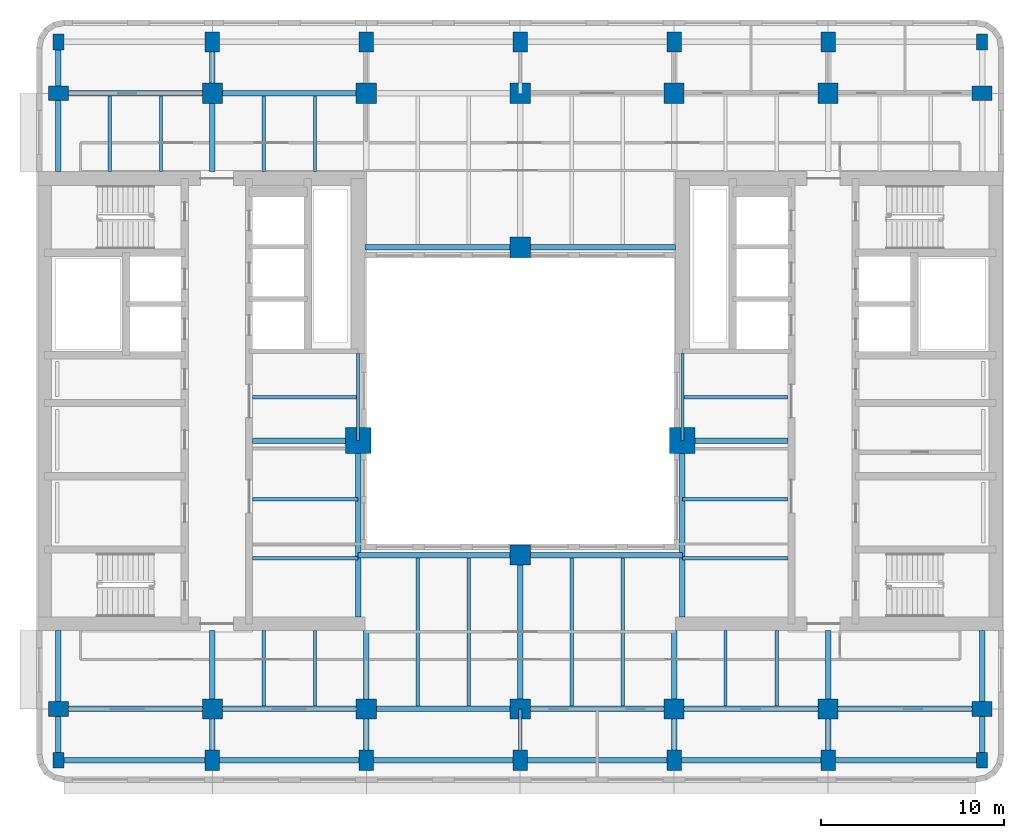
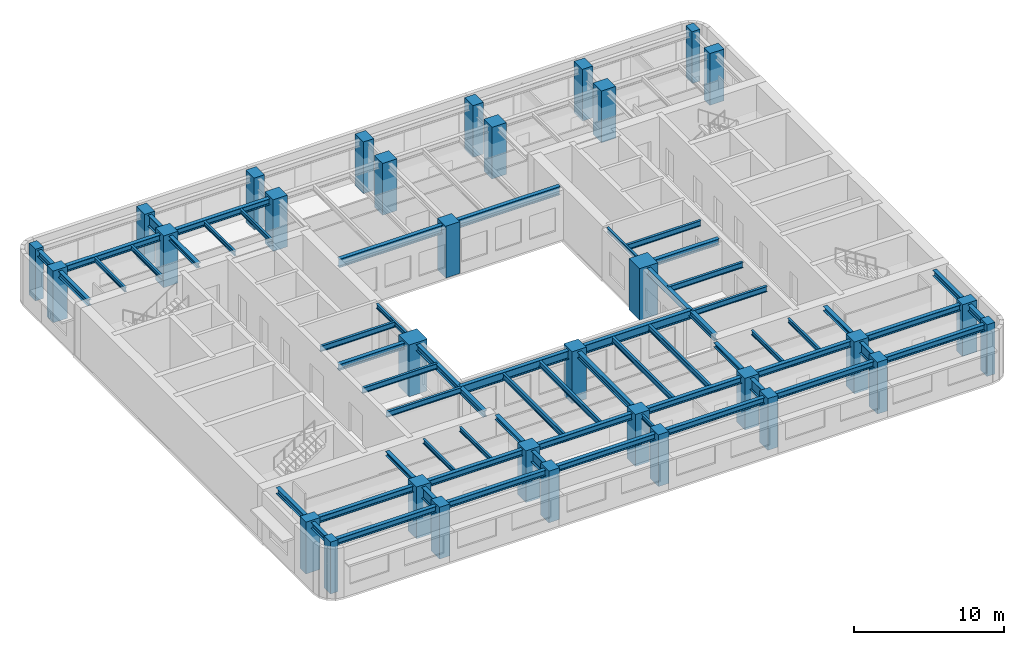
# One storey, part 1 of 11: 60 beams, 32 columns.
"""IFC4 building model written with IfcOpenShell, lengths in metres."""

from ifc_helpers import new_model, si_unit, direction, frame, origin, origin_2d, place, context, subcontext, project, spatial, rectangle, i_section, extrude, material, material_profile, profile_set, type_object, element, save


model = new_model("IFC4")

# Units and contexts
model_context = context("Model", 3, precision=1e-05, world=origin(), true_north=direction((0.0, 1.0)))
body_context = subcontext(model_context, "Body", "Model", "MODEL_VIEW")
ifc_project = project(units=[si_unit("LENGTHUNIT", "METRE"), si_unit("AREAUNIT", "SQUARE_METRE"), si_unit("VOLUMEUNIT", "CUBIC_METRE"), si_unit("PLANEANGLEUNIT", "RADIAN"), si_unit("MASSUNIT", "GRAM", prefix="KILO")], contexts=[model_context])

# Site, building, storey
site_placement = place(None, origin())
site = spatial("IfcSite", under=ifc_project, at=site_placement, CompositionType="ELEMENT")
building_placement = place(site_placement, origin())
building = spatial("IfcBuilding", under=site, at=building_placement, Name="Claustro Exchange Tower", CompositionType="ELEMENT")
storey_placement = place(building_placement, frame((0.0, 0.0, 236.39990234375)))
storey = spatial("IfcBuildingStorey", under=building, at=storey_placement, Name="L54", CompositionType="ELEMENT", Elevation=236.39990234375)

# Columns
ifc_material_1 = material(Name="Concrete HA-70 (C70/85)", Category="concrete")
ifc_material_profile_1 = material_profile(ifc_material_1, rectangle(XDim=1.39990234375, YDim=1.39990234375, at=origin_2d()), Name="RC 1400x1400")
ifc_profile_set_1 = profile_set([ifc_material_profile_1], Name="Concrete HA-70 (C70/85)")
column_type_1 = type_object("IfcColumnType", Name="C0 RC 1400x1400 HA-70 column", PredefinedType="COLUMN", material=ifc_profile_set_1)
for number, where, z_axis, x_axis, name in (
    (1, (16.35009765625, 23.050048828125, 0.0), (0.0, 0.0, 1.0), (1.0, 0.0, 0.0), "Column C0 2+7950/C+6250 L54"),
    (2, (34.050048828125, 23.050048828125, 0.0), (0.0, 0.0, 1.0), (1.0, 0.0, 0.0), "Column C0 5+450/C+6250 L54"),
):
    element("IfcColumn", number, at=place(storey_placement, frame(where, z_axis=z_axis, x_axis=x_axis)), inside=storey, type_object=column_type_1, Name=name, PredefinedType="COLUMN", context=body_context, shape_type="SweptSolid", body=[
        extrude(rectangle(XDim=1.39990234375, YDim=1.39990234375, at=origin_2d()), origin(), (0.0, 0.0, 1.0), 4.2001953125),
    ])
ifc_material_2 = material(Name="Concrete HA-70 (C70/85)", Category="concrete")
ifc_material_profile_2 = material_profile(ifc_material_2, rectangle(XDim=1.10009765625, YDim=1.10009765625, at=origin_2d()), Name="RC 1100x1100")
ifc_profile_set_2 = profile_set([ifc_material_profile_2], Name="Concrete HA-70 (C70/85)")
column_type_2 = type_object("IfcColumnType", Name="C17 RC 1100x1100 HA-70 column", PredefinedType="COLUMN", material=ifc_profile_set_2)
for number, where, z_axis, x_axis, name in (
    (3, (8.39990234375, 8.39990234375, 0.0), (0.0, 0.0, 1.0), (1.0, 0.0, 0.0), "Column C17 2/B L54"),
    (4, (8.39990234375, 42.0, 0.0), (0.0, 0.0, 1.0), (1.0, 0.0, 0.0), "Column C17 2/F L54"),
    (5, (16.800048828125, 8.39990234375, 0.0), (0.0, 0.0, 1.0), (1.0, 0.0, 0.0), "Column C17 3/B L54"),
    (6, (16.800048828125, 42.0, 0.0), (0.0, 0.0, 1.0), (1.0, 0.0, 0.0), "Column C17 3/F L54"),
    (7, (25.199951171875, 8.39990234375, 0.0), (0.0, 0.0, 1.0), (1.0, 0.0, 0.0), "Column C17 4/B L54"),
    (8, (25.199951171875, 42.0, 0.0), (0.0, 0.0, 1.0), (1.0, 0.0, 0.0), "Column C17 4/F L54"),
    (9, (25.199951171875, 16.800048828125, 0.0), (0.0, 0.0, 1.0), (1.0, 0.0, 0.0), "Column C17 4/C L54"),
    (10, (25.199951171875, 33.60009765625, 0.0), (0.0, 0.0, 1.0), (1.0, 0.0, 0.0), "Column C17 4/E L54"),
    (11, (33.60009765625, 8.39990234375, 0.0), (0.0, 0.0, 1.0), (1.0, 0.0, 0.0), "Column C17 5/B L54"),
    (12, (33.60009765625, 42.0, 0.0), (0.0, 0.0, 1.0), (1.0, 0.0, 0.0), "Column C17 5/F L54"),
    (13, (42.0, 8.39990234375, 0.0), (0.0, 0.0, 1.0), (1.0, 0.0, 0.0), "Column C17 6/B L54"),
    (14, (42.0, 42.0, 0.0), (0.0, 0.0, 1.0), (1.0, 0.0, 0.0), "Column C17 6/F L54"),
):
    element("IfcColumn", number, at=place(storey_placement, frame(where, z_axis=z_axis, x_axis=x_axis)), inside=storey, type_object=column_type_2, Name=name, PredefinedType="COLUMN", context=body_context, shape_type="SweptSolid", body=[
        extrude(rectangle(XDim=1.10009765625, YDim=1.10009765625, at=origin_2d()), origin(), (0.0, 0.0, 1.0), 4.2001953125),
    ])
ifc_material_3 = material(Name="Concrete HA-50 (C50/60)", Category="concrete")
ifc_material_profile_3 = material_profile(ifc_material_3, rectangle(XDim=0.800048828125, YDim=1.10009765625, at=origin_2d()), Name="RC 800x1100")
ifc_profile_set_3 = profile_set([ifc_material_profile_3], Name="Concrete HA-50 (C50/60)")
column_type_3 = type_object("IfcColumnType", Name="C23 RC 800x1100 HA-50 perimeter column", PredefinedType="COLUMN", material=ifc_profile_set_3)
for number, where, z_axis, x_axis, name in (
    (15, (0.0, 8.39990234375, 0.0), (0.0, 0.0, 1.0), (0.0, 1.0, 0.0), "Column C23 1/B L54"),
    (16, (0.0, 42.0, 0.0), (0.0, 0.0, 1.0), (0.0, 1.0, 0.0), "Column C23 1/F L54"),
    (17, (8.39990234375, 5.60009765625, 0.0), (0.0, 0.0, 1.0), (1.0, 0.0, 0.0), "Column C23 2/A+5600 L54"),
    (18, (8.39990234375, 44.800048828125, 0.0), (0.0, 0.0, 1.0), (1.0, 0.0, 0.0), "Column C23 2/F+2800 L54"),
    (19, (16.800048828125, 5.60009765625, 0.0), (0.0, 0.0, 1.0), (1.0, 0.0, 0.0), "Column C23 3/A+5600 L54"),
    (20, (16.800048828125, 44.800048828125, 0.0), (0.0, 0.0, 1.0), (1.0, 0.0, 0.0), "Column C23 3/F+2800 L54"),
    (21, (25.199951171875, 5.60009765625, 0.0), (0.0, 0.0, 1.0), (1.0, 0.0, 0.0), "Column C23 4/A+5600 L54"),
    (22, (25.199951171875, 44.800048828125, 0.0), (0.0, 0.0, 1.0), (1.0, 0.0, 0.0), "Column C23 4/F+2800 L54"),
    (23, (33.60009765625, 5.60009765625, 0.0), (0.0, 0.0, 1.0), (1.0, 0.0, 0.0), "Column C23 5/A+5600 L54"),
    (24, (33.60009765625, 44.800048828125, 0.0), (0.0, 0.0, 1.0), (1.0, 0.0, 0.0), "Column C23 5/F+2800 L54"),
    (25, (42.0, 5.60009765625, 0.0), (0.0, 0.0, 1.0), (1.0, 0.0, 0.0), "Column C23 6/A+5600 L54"),
    (26, (42.0, 44.800048828125, 0.0), (0.0, 0.0, 1.0), (1.0, 0.0, 0.0), "Column C23 6/F+2800 L54"),
    (27, (50.39990234375, 8.39990234375, 0.0), (0.0, 0.0, 1.0), (0.0, 1.0, 0.0), "Column C23 7/B L54"),
    (28, (50.39990234375, 42.0, 0.0), (0.0, 0.0, 1.0), (0.0, 1.0, 0.0), "Column C23 7/F L54"),
):
    element("IfcColumn", number, at=place(storey_placement, frame(where, z_axis=z_axis, x_axis=x_axis)), inside=storey, type_object=column_type_3, Name=name, PredefinedType="COLUMN", context=body_context, shape_type="SweptSolid", body=[
        extrude(rectangle(XDim=0.800048828125, YDim=1.10009765625, at=origin_2d()), origin(), (0.0, 0.0, 1.0), 4.2001953125),
    ])
ifc_material_4 = material(Name="Concrete HA-50 (C50/60)", Category="concrete")
ifc_material_profile_4 = material_profile(ifc_material_4, rectangle(XDim=0.60009765625, YDim=0.85009765625, at=origin_2d()), Name="RC 600x850")
ifc_profile_set_4 = profile_set([ifc_material_profile_4], Name="Concrete HA-50 (C50/60)")
column_type_4 = type_object("IfcColumnType", Name="C25 RC 600x850 HA-50 corner column", PredefinedType="COLUMN", material=ifc_profile_set_4)
for number, where, z_axis, x_axis, name in (
    (29, (0.0, 5.60009765625, 0.0), (0.0, 0.0, 1.0), (1.0, 0.0, 0.0), "Column C25 1/A+5600 L54"),
    (30, (0.0, 44.800048828125, 0.0), (0.0, 0.0, 1.0), (1.0, 0.0, 0.0), "Column C25 1/F+2800 L54"),
    (31, (50.39990234375, 5.60009765625, 0.0), (0.0, 0.0, 1.0), (1.0, 0.0, 0.0), "Column C25 7/A+5600 L54"),
    (32, (50.39990234375, 44.800048828125, 0.0), (0.0, 0.0, 1.0), (1.0, 0.0, 0.0), "Column C25 7/F+2800 L54"),
):
    element("IfcColumn", number, at=place(storey_placement, frame(where, z_axis=z_axis, x_axis=x_axis)), inside=storey, type_object=column_type_4, Name=name, PredefinedType="COLUMN", context=body_context, shape_type="SweptSolid", body=[
        extrude(rectangle(XDim=0.60009765625, YDim=0.85009765625, at=origin_2d()), origin(), (0.0, 0.0, 1.0), 4.2001953125),
    ])

# Beams
ifc_material_5 = material(Name="Steel S355", Category="steel")
ifc_material_profile_5 = material_profile(ifc_material_5, i_section(OverallWidth=0.300048828125, OverallDepth=0.68994140625, WebThickness=0.014404296875, FlangeThickness=0.027099609375, FilletRadius=0.027099609375, at=origin_2d()), Name="HE 700 A")
ifc_profile_set_5 = profile_set([ifc_material_profile_5], Name="Steel S355")
beam_type_1 = type_object("IfcBeamType", Name="B13 HE 700 A light well edge girder", PredefinedType="BEAM", material=ifc_profile_set_5)
beam_1_placement = place(storey_placement, frame((16.35009765625, 16.800048828125, 3.705078125), z_axis=(1.0, 0.0, 0.0), x_axis=(0.0, 1.0, 0.0)))
element("IfcBeam", 33, at=beam_1_placement, inside=storey, type_object=beam_type_1, Name="Beam B13 L55", PredefinedType="BEAM", context=body_context, shape_type="SweptSolid", body=[
    extrude(i_section(OverallWidth=0.300048828125, OverallDepth=0.68994140625, WebThickness=0.014404296875, FlangeThickness=0.027099609375, FilletRadius=0.027099609375, at=origin_2d()), origin(), (0.0, 0.0, 1.0), 8.849853515625),
])
beam_2_placement = place(storey_placement, frame((25.199951171875, 16.800048828125, 3.705078125), z_axis=(1.0, 0.0, 0.0), x_axis=(0.0, 1.0, 0.0)))
element("IfcBeam", 34, at=beam_2_placement, inside=storey, type_object=beam_type_1, Name="Beam B13 L55", PredefinedType="BEAM", context=body_context, shape_type="SweptSolid", body=[
    extrude(i_section(OverallWidth=0.300048828125, OverallDepth=0.68994140625, WebThickness=0.014404296875, FlangeThickness=0.027099609375, FilletRadius=0.027099609375, at=origin_2d()), origin(), (0.0, 0.0, 1.0), 8.85009765625),
])
beam_3_placement = place(storey_placement, frame((16.72509765625, 33.60009765625, 3.705078125), z_axis=(1.0, 0.0, 0.0), x_axis=(0.0, 1.0, 0.0)))
element("IfcBeam", 35, at=beam_3_placement, inside=storey, type_object=beam_type_1, Name="Beam B13 L55", PredefinedType="BEAM", context=body_context, shape_type="SweptSolid", body=[
    extrude(i_section(OverallWidth=0.300048828125, OverallDepth=0.68994140625, WebThickness=0.014404296875, FlangeThickness=0.027099609375, FilletRadius=0.027099609375, at=origin_2d()), origin(), (0.0, 0.0, 1.0), 8.474853515625),
])
beam_4_placement = place(storey_placement, frame((25.199951171875, 33.60009765625, 3.705078125), z_axis=(1.0, 0.0, 0.0), x_axis=(0.0, 1.0, 0.0)))
element("IfcBeam", 36, at=beam_4_placement, inside=storey, type_object=beam_type_1, Name="Beam B13 L55", PredefinedType="BEAM", context=body_context, shape_type="SweptSolid", body=[
    extrude(i_section(OverallWidth=0.300048828125, OverallDepth=0.68994140625, WebThickness=0.014404296875, FlangeThickness=0.027099609375, FilletRadius=0.027099609375, at=origin_2d()), origin(), (0.0, 0.0, 1.0), 8.47509765625),
])
ifc_material_6 = material(Name="Steel S355", Category="steel")
ifc_material_profile_6 = material_profile(ifc_material_6, i_section(OverallWidth=0.169921875, OverallDepth=0.360107421875, WebThickness=0.008056640625, FlangeThickness=0.0126953125, FilletRadius=0.01806640625, at=origin_2d()), Name="IPE 360")
ifc_profile_set_6 = profile_set([ifc_material_profile_6], Name="Steel S355")
beam_type_2 = type_object("IfcBeamType", Name="B16 IPE 360 short-span beam", PredefinedType="BEAM", material=ifc_profile_set_6)
beam_5_placement = place(storey_placement, frame((25.199951171875, 5.60009765625, 3.8701171875), z_axis=(0.0, 1.0, 0.0), x_axis=(-1.0, 0.0, 0.0)))
element("IfcBeam", 37, at=beam_5_placement, inside=storey, type_object=beam_type_2, Name="Beam B16 L55", PredefinedType="BEAM", context=body_context, shape_type="SweptSolid", body=[
    extrude(i_section(OverallWidth=0.169921875, OverallDepth=0.360107421875, WebThickness=0.008056640625, FlangeThickness=0.0126953125, FilletRadius=0.01806640625, at=origin_2d()), origin(), (0.0, 0.0, 1.0), 2.7998046875),
])
for number, where, z_axis, x_axis, name in (
    (38, (2.800048828125, 37.72509765625, 3.8701171875), (0.0, 1.0, 0.0), (-1.0, 0.0, 0.0), "Beam B16 L55"),
    (39, (5.60009765625, 37.72509765625, 3.8701171875), (0.0, 1.0, 0.0), (-1.0, 0.0, 0.0), "Beam B16 L55"),
    (40, (11.199951171875, 8.550048828125, 3.8701171875), (0.0, 1.0, 0.0), (-1.0, 0.0, 0.0), "Beam B16 L55"),
    (41, (14.0, 8.550048828125, 3.8701171875), (0.0, 1.0, 0.0), (-1.0, 0.0, 0.0), "Beam B16 L55"),
    (42, (11.199951171875, 37.72509765625, 3.8701171875), (0.0, 1.0, 0.0), (-1.0, 0.0, 0.0), "Beam B16 L55"),
    (43, (14.0, 37.72509765625, 3.8701171875), (0.0, 1.0, 0.0), (-1.0, 0.0, 0.0), "Beam B16 L55"),
    (44, (36.39990234375, 8.550048828125, 3.8701171875), (0.0, 1.0, 0.0), (-1.0, 0.0, 0.0), "Beam B16 L55"),
    (45, (39.199951171875, 8.550048828125, 3.8701171875), (0.0, 1.0, 0.0), (-1.0, 0.0, 0.0), "Beam B16 L55"),
):
    element("IfcBeam", number, at=place(storey_placement, frame(where, z_axis=z_axis, x_axis=x_axis)), inside=storey, type_object=beam_type_2, Name=name, PredefinedType="BEAM", context=body_context, shape_type="SweptSolid", body=[
        extrude(i_section(OverallWidth=0.169921875, OverallDepth=0.360107421875, WebThickness=0.008056640625, FlangeThickness=0.0126953125, FilletRadius=0.01806640625, at=origin_2d()), origin(), (0.0, 0.0, 1.0), 4.125),
    ])
for number, where, z_axis, x_axis, name in (
    (46, (16.35009765625, 23.050048828125, 3.8701171875), (0.0, 1.0, 0.0), (-1.0, 0.0, 0.0), "Beam B16 core step framing L55"),
    (47, (34.050048828125, 23.050048828125, 3.8701171875), (0.0, 1.0, 0.0), (-1.0, 0.0, 0.0), "Beam B16 core step framing L55"),
):
    element("IfcBeam", number, at=place(storey_placement, frame(where, z_axis=z_axis, x_axis=x_axis)), inside=storey, type_object=beam_type_2, Name=name, PredefinedType="BEAM", context=body_context, shape_type="SweptSolid", body=[
        extrude(i_section(OverallWidth=0.169921875, OverallDepth=0.360107421875, WebThickness=0.008056640625, FlangeThickness=0.0126953125, FilletRadius=0.01806640625, at=origin_2d()), origin(), (0.0, 0.0, 1.0), 4.75),
    ])
ifc_material_7 = material(Name="Steel S355", Category="steel")
ifc_material_profile_7 = material_profile(ifc_material_7, i_section(OverallWidth=0.300048828125, OverallDepth=0.360107421875, WebThickness=0.012451171875, FlangeThickness=0.0224609375, FilletRadius=0.027099609375, at=origin_2d()), Name="HE 360 B")
ifc_profile_set_7 = profile_set([ifc_material_profile_7], Name="Steel S355")
beam_type_3 = type_object("IfcBeamType", Name="B29 HE 360 B column to core link beam", PredefinedType="BEAM", material=ifc_profile_set_7)
beam_6_placement = place(storey_placement, frame((8.39990234375, 8.39990234375, 3.8701171875), z_axis=(0.0, 1.0, 0.0), x_axis=(-1.0, 0.0, 0.0)))
element("IfcBeam", 48, at=beam_6_placement, inside=storey, type_object=beam_type_3, Name="Beam B29 L55", PredefinedType="BEAM", context=body_context, shape_type="SweptSolid", body=[
    extrude(i_section(OverallWidth=0.300048828125, OverallDepth=0.360107421875, WebThickness=0.012451171875, FlangeThickness=0.0224609375, FilletRadius=0.027099609375, at=origin_2d()), origin(), (0.0, 0.0, 1.0), 4.275146484375),
])
beam_7_placement = place(storey_placement, frame((8.39990234375, 37.72509765625, 3.8701171875), z_axis=(0.0, 1.0, 0.0), x_axis=(-1.0, 0.0, 0.0)))
element("IfcBeam", 49, at=beam_7_placement, inside=storey, type_object=beam_type_3, Name="Beam B29 L55", PredefinedType="BEAM", context=body_context, shape_type="SweptSolid", body=[
    extrude(i_section(OverallWidth=0.300048828125, OverallDepth=0.360107421875, WebThickness=0.012451171875, FlangeThickness=0.0224609375, FilletRadius=0.027099609375, at=origin_2d()), origin(), (0.0, 0.0, 1.0), 4.27490234375),
])
for number, where, z_axis, x_axis, name in (
    (50, (16.800048828125, 8.39990234375, 3.8701171875), (0.0, 1.0, 0.0), (-1.0, 0.0, 0.0), "Beam B29 L55"),
    (51, (33.60009765625, 8.39990234375, 3.8701171875), (0.0, 1.0, 0.0), (-1.0, 0.0, 0.0), "Beam B29 L55"),
    (52, (42.0, 8.39990234375, 3.8701171875), (0.0, 1.0, 0.0), (-1.0, 0.0, 0.0), "Beam B29 L55"),
):
    element("IfcBeam", number, at=place(storey_placement, frame(where, z_axis=z_axis, x_axis=x_axis)), inside=storey, type_object=beam_type_3, Name=name, PredefinedType="BEAM", context=body_context, shape_type="SweptSolid", body=[
        extrude(i_section(OverallWidth=0.300048828125, OverallDepth=0.360107421875, WebThickness=0.012451171875, FlangeThickness=0.0224609375, FilletRadius=0.027099609375, at=origin_2d()), origin(), (0.0, 0.0, 1.0), 4.275146484375),
    ])
ifc_material_8 = material(Name="Steel S355", Category="steel")
ifc_material_profile_8 = material_profile(ifc_material_8, i_section(OverallWidth=0.300048828125, OverallDepth=0.5, WebThickness=0.014404296875, FlangeThickness=0.028076171875, FilletRadius=0.027099609375, at=origin_2d()), Name="HE 500 B")
ifc_profile_set_8 = profile_set([ifc_material_profile_8], Name="Steel S355")
beam_type_4 = type_object("IfcBeamType", Name="B7 HE 500 B floor girder", PredefinedType="BEAM", material=ifc_profile_set_8)
beam_8_placement = place(storey_placement, frame((25.199951171875, 8.39990234375, 3.800048828125), z_axis=(0.0, 1.0, 0.0), x_axis=(-1.0, 0.0, 0.0)))
element("IfcBeam", 53, at=beam_8_placement, inside=storey, type_object=beam_type_4, Name="Beam B7 L55", PredefinedType="BEAM", context=body_context, shape_type="SweptSolid", body=[
    extrude(i_section(OverallWidth=0.300048828125, OverallDepth=0.5, WebThickness=0.014404296875, FlangeThickness=0.028076171875, FilletRadius=0.027099609375, at=origin_2d()), origin(), (0.0, 0.0, 1.0), 8.400146484375),
])
beam_9_placement = place(storey_placement, frame((0.0, 8.39990234375, 3.800048828125), z_axis=(1.0, 0.0, 0.0), x_axis=(0.0, 1.0, 0.0)))
element("IfcBeam", 54, at=beam_9_placement, inside=storey, type_object=beam_type_4, Name="Beam B7 L55", PredefinedType="BEAM", context=body_context, shape_type="SweptSolid", body=[
    extrude(i_section(OverallWidth=0.300048828125, OverallDepth=0.5, WebThickness=0.014404296875, FlangeThickness=0.028076171875, FilletRadius=0.027099609375, at=origin_2d()), origin(), (0.0, 0.0, 1.0), 8.39990234375),
])
beam_10_placement = place(storey_placement, frame((8.39990234375, 8.39990234375, 3.800048828125), z_axis=(1.0, 0.0, 0.0), x_axis=(0.0, 1.0, 0.0)))
element("IfcBeam", 55, at=beam_10_placement, inside=storey, type_object=beam_type_4, Name="Beam B7 L55", PredefinedType="BEAM", context=body_context, shape_type="SweptSolid", body=[
    extrude(i_section(OverallWidth=0.300048828125, OverallDepth=0.5, WebThickness=0.014404296875, FlangeThickness=0.028076171875, FilletRadius=0.027099609375, at=origin_2d()), origin(), (0.0, 0.0, 1.0), 8.400146484375),
])
beam_11_placement = place(storey_placement, frame((16.800048828125, 8.39990234375, 3.800048828125), z_axis=(1.0, 0.0, 0.0), x_axis=(0.0, 1.0, 0.0)))
element("IfcBeam", 56, at=beam_11_placement, inside=storey, type_object=beam_type_4, Name="Beam B7 L55", PredefinedType="BEAM", context=body_context, shape_type="SweptSolid", body=[
    extrude(i_section(OverallWidth=0.300048828125, OverallDepth=0.5, WebThickness=0.014404296875, FlangeThickness=0.028076171875, FilletRadius=0.027099609375, at=origin_2d()), origin(), (0.0, 0.0, 1.0), 8.39990234375),
])
beam_12_placement = place(storey_placement, frame((25.199951171875, 8.39990234375, 3.800048828125), z_axis=(1.0, 0.0, 0.0), x_axis=(0.0, 1.0, 0.0)))
element("IfcBeam", 57, at=beam_12_placement, inside=storey, type_object=beam_type_4, Name="Beam B7 L55", PredefinedType="BEAM", context=body_context, shape_type="SweptSolid", body=[
    extrude(i_section(OverallWidth=0.300048828125, OverallDepth=0.5, WebThickness=0.014404296875, FlangeThickness=0.028076171875, FilletRadius=0.027099609375, at=origin_2d()), origin(), (0.0, 0.0, 1.0), 8.400146484375),
])
for number, where, z_axis, x_axis, name in (
    (58, (33.60009765625, 8.39990234375, 3.800048828125), (1.0, 0.0, 0.0), (0.0, 1.0, 0.0), "Beam B7 L55"),
    (59, (42.0, 8.39990234375, 3.800048828125), (1.0, 0.0, 0.0), (0.0, 1.0, 0.0), "Beam B7 L55"),
    (60, (0.0, 42.0, 3.800048828125), (1.0, 0.0, 0.0), (0.0, 1.0, 0.0), "Beam B7 L55"),
):
    element("IfcBeam", number, at=place(storey_placement, frame(where, z_axis=z_axis, x_axis=x_axis)), inside=storey, type_object=beam_type_4, Name=name, PredefinedType="BEAM", context=body_context, shape_type="SweptSolid", body=[
        extrude(i_section(OverallWidth=0.300048828125, OverallDepth=0.5, WebThickness=0.014404296875, FlangeThickness=0.028076171875, FilletRadius=0.027099609375, at=origin_2d()), origin(), (0.0, 0.0, 1.0), 8.39990234375),
    ])
beam_13_placement = place(storey_placement, frame((8.39990234375, 42.0, 3.800048828125), z_axis=(1.0, 0.0, 0.0), x_axis=(0.0, 1.0, 0.0)))
element("IfcBeam", 61, at=beam_13_placement, inside=storey, type_object=beam_type_4, Name="Beam B7 L55", PredefinedType="BEAM", context=body_context, shape_type="SweptSolid", body=[
    extrude(i_section(OverallWidth=0.300048828125, OverallDepth=0.5, WebThickness=0.014404296875, FlangeThickness=0.028076171875, FilletRadius=0.027099609375, at=origin_2d()), origin(), (0.0, 0.0, 1.0), 8.400146484375),
])
beam_14_placement = place(storey_placement, frame((10.60009765625, 23.050048828125, 3.800048828125), z_axis=(1.0, 0.0, 0.0), x_axis=(0.0, 1.0, 0.0)))
element("IfcBeam", 62, at=beam_14_placement, inside=storey, type_object=beam_type_4, Name="Beam B7 core step framing L55", PredefinedType="BEAM", context=body_context, shape_type="SweptSolid", body=[
    extrude(i_section(OverallWidth=0.300048828125, OverallDepth=0.5, WebThickness=0.014404296875, FlangeThickness=0.028076171875, FilletRadius=0.027099609375, at=origin_2d()), origin(), (0.0, 0.0, 1.0), 5.75),
])
beam_15_placement = place(storey_placement, frame((16.35009765625, 13.425048828125, 3.800048828125), z_axis=(0.0, 1.0, 0.0), x_axis=(-1.0, 0.0, 0.0)))
element("IfcBeam", 63, at=beam_15_placement, inside=storey, type_object=beam_type_4, Name="Beam B7 core step framing L55", PredefinedType="BEAM", context=body_context, shape_type="SweptSolid", body=[
    extrude(i_section(OverallWidth=0.300048828125, OverallDepth=0.5, WebThickness=0.014404296875, FlangeThickness=0.028076171875, FilletRadius=0.027099609375, at=origin_2d()), origin(), (0.0, 0.0, 1.0), 9.625),
])
beam_16_placement = place(storey_placement, frame((34.050048828125, 23.050048828125, 3.800048828125), z_axis=(1.0, 0.0, 0.0), x_axis=(0.0, 1.0, 0.0)))
element("IfcBeam", 64, at=beam_16_placement, inside=storey, type_object=beam_type_4, Name="Beam B7 core step framing L55", PredefinedType="BEAM", context=body_context, shape_type="SweptSolid", body=[
    extrude(i_section(OverallWidth=0.300048828125, OverallDepth=0.5, WebThickness=0.014404296875, FlangeThickness=0.028076171875, FilletRadius=0.027099609375, at=origin_2d()), origin(), (0.0, 0.0, 1.0), 5.75),
])
beam_17_placement = place(storey_placement, frame((34.050048828125, 13.425048828125, 3.800048828125), z_axis=(0.0, 1.0, 0.0), x_axis=(-1.0, 0.0, 0.0)))
element("IfcBeam", 65, at=beam_17_placement, inside=storey, type_object=beam_type_4, Name="Beam B7 core step framing L55", PredefinedType="BEAM", context=body_context, shape_type="SweptSolid", body=[
    extrude(i_section(OverallWidth=0.300048828125, OverallDepth=0.5, WebThickness=0.014404296875, FlangeThickness=0.028076171875, FilletRadius=0.027099609375, at=origin_2d()), origin(), (0.0, 0.0, 1.0), 9.625),
])
ifc_material_9 = material(Name="Steel S355", Category="steel")
ifc_material_profile_9 = material_profile(ifc_material_9, i_section(OverallWidth=0.18994140625, OverallDepth=0.449951171875, WebThickness=0.009521484375, FlangeThickness=0.0146484375, FilletRadius=0.02099609375, at=origin_2d()), Name="IPE 450")
ifc_profile_set_9 = profile_set([ifc_material_profile_9], Name="Steel S355")
beam_type_5 = type_object("IfcBeamType", Name="B8 IPE 450 secondary beam", PredefinedType="BEAM", material=ifc_profile_set_9)
for number, where, z_axis, x_axis, name in (
    (66, (19.60009765625, 8.550048828125, 3.8251953125), (0.0, 1.0, 0.0), (-1.0, 0.0, 0.0), "Beam B8 L55"),
    (67, (22.39990234375, 8.550048828125, 3.8251953125), (0.0, 1.0, 0.0), (-1.0, 0.0, 0.0), "Beam B8 L55"),
    (68, (28.0, 8.550048828125, 3.8251953125), (0.0, 1.0, 0.0), (-1.0, 0.0, 0.0), "Beam B8 L55"),
    (69, (30.800048828125, 8.550048828125, 3.8251953125), (0.0, 1.0, 0.0), (-1.0, 0.0, 0.0), "Beam B8 L55"),
):
    element("IfcBeam", number, at=place(storey_placement, frame(where, z_axis=z_axis, x_axis=x_axis)), inside=storey, type_object=beam_type_5, Name=name, PredefinedType="BEAM", context=body_context, shape_type="SweptSolid", body=[
        extrude(i_section(OverallWidth=0.18994140625, OverallDepth=0.449951171875, WebThickness=0.009521484375, FlangeThickness=0.0146484375, FilletRadius=0.02099609375, at=origin_2d()), origin(), (0.0, 0.0, 1.0), 8.099853515625),
    ])
for number, where, z_axis, x_axis, name in (
    (70, (10.60009765625, 16.63330078125, 3.8251953125), (1.0, 0.0, 0.0), (0.0, 1.0, 0.0), "Beam B8 core step framing L55"),
    (71, (10.60009765625, 19.841796875, 3.8251953125), (1.0, 0.0, 0.0), (0.0, 1.0, 0.0), "Beam B8 core step framing L55"),
    (72, (10.60009765625, 25.425048828125, 3.8251953125), (1.0, 0.0, 0.0), (0.0, 1.0, 0.0), "Beam B8 core step framing L55"),
    (73, (34.050048828125, 16.63330078125, 3.8251953125), (1.0, 0.0, 0.0), (0.0, 1.0, 0.0), "Beam B8 core step framing L55"),
    (74, (34.050048828125, 19.841796875, 3.8251953125), (1.0, 0.0, 0.0), (0.0, 1.0, 0.0), "Beam B8 core step framing L55"),
    (75, (34.050048828125, 25.425048828125, 3.8251953125), (1.0, 0.0, 0.0), (0.0, 1.0, 0.0), "Beam B8 core step framing L55"),
):
    element("IfcBeam", number, at=place(storey_placement, frame(where, z_axis=z_axis, x_axis=x_axis)), inside=storey, type_object=beam_type_5, Name=name, PredefinedType="BEAM", context=body_context, shape_type="SweptSolid", body=[
        extrude(i_section(OverallWidth=0.18994140625, OverallDepth=0.449951171875, WebThickness=0.009521484375, FlangeThickness=0.0146484375, FilletRadius=0.02099609375, at=origin_2d()), origin(), (0.0, 0.0, 1.0), 5.75),
    ])
ifc_material_10 = material(Name="Steel S355", Category="steel")
ifc_material_profile_10 = material_profile(ifc_material_10, i_section(OverallWidth=0.300048828125, OverallDepth=0.489990234375, WebThickness=0.011962890625, FlangeThickness=0.02294921875, FilletRadius=0.027099609375, at=origin_2d()), Name="HE 500 A")
ifc_profile_set_10 = profile_set([ifc_material_profile_10], Name="Steel S355")
beam_type_6 = type_object("IfcBeamType", Name="B9 HE 500 A spandrel edge girder", PredefinedType="SPANDREL", material=ifc_profile_set_10)
beam_18_placement = place(storey_placement, frame((0.0, 5.60009765625, 3.80517578125), z_axis=(0.0, 1.0, 0.0), x_axis=(-1.0, 0.0, 0.0)))
element("IfcBeam", 76, at=beam_18_placement, inside=storey, type_object=beam_type_6, Name="Beam B9 L55", PredefinedType="SPANDREL", context=body_context, shape_type="SweptSolid", body=[
    extrude(i_section(OverallWidth=0.300048828125, OverallDepth=0.489990234375, WebThickness=0.011962890625, FlangeThickness=0.02294921875, FilletRadius=0.027099609375, at=origin_2d()), origin(), (0.0, 0.0, 1.0), 2.7998046875),
])
beam_19_placement = place(storey_placement, frame((0.0, 8.39990234375, 3.80517578125), z_axis=(0.0, 1.0, 0.0), x_axis=(-1.0, 0.0, 0.0)))
element("IfcBeam", 77, at=beam_19_placement, inside=storey, type_object=beam_type_6, Name="Beam B9 L55", PredefinedType="SPANDREL", context=body_context, shape_type="SweptSolid", body=[
    extrude(i_section(OverallWidth=0.300048828125, OverallDepth=0.489990234375, WebThickness=0.011962890625, FlangeThickness=0.02294921875, FilletRadius=0.027099609375, at=origin_2d()), origin(), (0.0, 0.0, 1.0), 4.275146484375),
])
beam_20_placement = place(storey_placement, frame((0.0, 37.72509765625, 3.80517578125), z_axis=(0.0, 1.0, 0.0), x_axis=(-1.0, 0.0, 0.0)))
element("IfcBeam", 78, at=beam_20_placement, inside=storey, type_object=beam_type_6, Name="Beam B9 L55", PredefinedType="SPANDREL", context=body_context, shape_type="SweptSolid", body=[
    extrude(i_section(OverallWidth=0.300048828125, OverallDepth=0.489990234375, WebThickness=0.011962890625, FlangeThickness=0.02294921875, FilletRadius=0.027099609375, at=origin_2d()), origin(), (0.0, 0.0, 1.0), 4.27490234375),
])
beam_21_placement = place(storey_placement, frame((0.0, 42.0, 3.80517578125), z_axis=(0.0, 1.0, 0.0), x_axis=(-1.0, 0.0, 0.0)))
element("IfcBeam", 79, at=beam_21_placement, inside=storey, type_object=beam_type_6, Name="Beam B9 L55", PredefinedType="SPANDREL", context=body_context, shape_type="SweptSolid", body=[
    extrude(i_section(OverallWidth=0.300048828125, OverallDepth=0.489990234375, WebThickness=0.011962890625, FlangeThickness=0.02294921875, FilletRadius=0.027099609375, at=origin_2d()), origin(), (0.0, 0.0, 1.0), 2.800048828125),
])
beam_22_placement = place(storey_placement, frame((50.39990234375, 5.60009765625, 3.80517578125), z_axis=(0.0, 1.0, 0.0), x_axis=(-1.0, 0.0, 0.0)))
element("IfcBeam", 80, at=beam_22_placement, inside=storey, type_object=beam_type_6, Name="Beam B9 L55", PredefinedType="SPANDREL", context=body_context, shape_type="SweptSolid", body=[
    extrude(i_section(OverallWidth=0.300048828125, OverallDepth=0.489990234375, WebThickness=0.011962890625, FlangeThickness=0.02294921875, FilletRadius=0.027099609375, at=origin_2d()), origin(), (0.0, 0.0, 1.0), 2.7998046875),
])
beam_23_placement = place(storey_placement, frame((50.39990234375, 8.39990234375, 3.80517578125), z_axis=(0.0, 1.0, 0.0), x_axis=(-1.0, 0.0, 0.0)))
element("IfcBeam", 81, at=beam_23_placement, inside=storey, type_object=beam_type_6, Name="Beam B9 L55", PredefinedType="SPANDREL", context=body_context, shape_type="SweptSolid", body=[
    extrude(i_section(OverallWidth=0.300048828125, OverallDepth=0.489990234375, WebThickness=0.011962890625, FlangeThickness=0.02294921875, FilletRadius=0.027099609375, at=origin_2d()), origin(), (0.0, 0.0, 1.0), 4.275146484375),
])
beam_24_placement = place(storey_placement, frame((0.0, 5.60009765625, 3.80517578125), z_axis=(1.0, 0.0, 0.0), x_axis=(0.0, 1.0, 0.0)))
element("IfcBeam", 82, at=beam_24_placement, inside=storey, type_object=beam_type_6, Name="Beam B9 L55", PredefinedType="SPANDREL", context=body_context, shape_type="SweptSolid", body=[
    extrude(i_section(OverallWidth=0.300048828125, OverallDepth=0.489990234375, WebThickness=0.011962890625, FlangeThickness=0.02294921875, FilletRadius=0.027099609375, at=origin_2d()), origin(), (0.0, 0.0, 1.0), 8.39990234375),
])
beam_25_placement = place(storey_placement, frame((8.39990234375, 5.60009765625, 3.80517578125), z_axis=(1.0, 0.0, 0.0), x_axis=(0.0, 1.0, 0.0)))
element("IfcBeam", 83, at=beam_25_placement, inside=storey, type_object=beam_type_6, Name="Beam B9 L55", PredefinedType="SPANDREL", context=body_context, shape_type="SweptSolid", body=[
    extrude(i_section(OverallWidth=0.300048828125, OverallDepth=0.489990234375, WebThickness=0.011962890625, FlangeThickness=0.02294921875, FilletRadius=0.027099609375, at=origin_2d()), origin(), (0.0, 0.0, 1.0), 8.400146484375),
])
beam_26_placement = place(storey_placement, frame((16.800048828125, 5.60009765625, 3.80517578125), z_axis=(1.0, 0.0, 0.0), x_axis=(0.0, 1.0, 0.0)))
element("IfcBeam", 84, at=beam_26_placement, inside=storey, type_object=beam_type_6, Name="Beam B9 L55", PredefinedType="SPANDREL", context=body_context, shape_type="SweptSolid", body=[
    extrude(i_section(OverallWidth=0.300048828125, OverallDepth=0.489990234375, WebThickness=0.011962890625, FlangeThickness=0.02294921875, FilletRadius=0.027099609375, at=origin_2d()), origin(), (0.0, 0.0, 1.0), 8.39990234375),
])
beam_27_placement = place(storey_placement, frame((25.199951171875, 5.60009765625, 3.80517578125), z_axis=(1.0, 0.0, 0.0), x_axis=(0.0, 1.0, 0.0)))
element("IfcBeam", 85, at=beam_27_placement, inside=storey, type_object=beam_type_6, Name="Beam B9 L55", PredefinedType="SPANDREL", context=body_context, shape_type="SweptSolid", body=[
    extrude(i_section(OverallWidth=0.300048828125, OverallDepth=0.489990234375, WebThickness=0.011962890625, FlangeThickness=0.02294921875, FilletRadius=0.027099609375, at=origin_2d()), origin(), (0.0, 0.0, 1.0), 8.400146484375),
])
for number, where, z_axis, x_axis, name in (
    (86, (33.60009765625, 5.60009765625, 3.80517578125), (1.0, 0.0, 0.0), (0.0, 1.0, 0.0), "Beam B9 L55"),
    (87, (42.0, 5.60009765625, 3.80517578125), (1.0, 0.0, 0.0), (0.0, 1.0, 0.0), "Beam B9 L55"),
):
    element("IfcBeam", number, at=place(storey_placement, frame(where, z_axis=z_axis, x_axis=x_axis)), inside=storey, type_object=beam_type_6, Name=name, PredefinedType="SPANDREL", context=body_context, shape_type="SweptSolid", body=[
        extrude(i_section(OverallWidth=0.300048828125, OverallDepth=0.489990234375, WebThickness=0.011962890625, FlangeThickness=0.02294921875, FilletRadius=0.027099609375, at=origin_2d()), origin(), (0.0, 0.0, 1.0), 8.39990234375),
    ])
ifc_material_11 = material(Name="Steel S355", Category="steel")
ifc_material_profile_11 = material_profile(ifc_material_11, i_section(OverallWidth=0.300048828125, OverallDepth=0.89990234375, WebThickness=0.0185546875, FlangeThickness=0.034912109375, FilletRadius=0.030029296875, at=origin_2d()), Name="HE 900 B")
ifc_profile_set_11 = profile_set([ifc_material_profile_11], Name="Steel S355")
beam_type_7 = type_object("IfcBeamType", Name="OT8 HE 900 B OUTRIGGER extension chord", PredefinedType="BEAM", material=ifc_profile_set_11)
beam_28_placement = place(storey_placement, frame((8.39990234375, 5.60009765625, 3.60009765625), z_axis=(0.0, 1.0, 0.0), x_axis=(-1.0, 0.0, 0.0)))
element("IfcBeam", 88, at=beam_28_placement, inside=storey, type_object=beam_type_7, Name="Beam OT8 L55", PredefinedType="BEAM", context=body_context, shape_type="SweptSolid", body=[
    extrude(i_section(OverallWidth=0.300048828125, OverallDepth=0.89990234375, WebThickness=0.0185546875, FlangeThickness=0.034912109375, FilletRadius=0.030029296875, at=origin_2d()), origin(), (0.0, 0.0, 1.0), 2.7998046875),
])
beam_29_placement = place(storey_placement, frame((8.39990234375, 42.0, 3.60009765625), z_axis=(0.0, 1.0, 0.0), x_axis=(-1.0, 0.0, 0.0)))
element("IfcBeam", 89, at=beam_29_placement, inside=storey, type_object=beam_type_7, Name="Beam OT8 L55", PredefinedType="BEAM", context=body_context, shape_type="SweptSolid", body=[
    extrude(i_section(OverallWidth=0.300048828125, OverallDepth=0.89990234375, WebThickness=0.0185546875, FlangeThickness=0.034912109375, FilletRadius=0.030029296875, at=origin_2d()), origin(), (0.0, 0.0, 1.0), 2.800048828125),
])
for number, where, z_axis, x_axis, name in (
    (90, (16.800048828125, 5.60009765625, 3.60009765625), (0.0, 1.0, 0.0), (-1.0, 0.0, 0.0), "Beam OT8 L55"),
    (91, (33.60009765625, 5.60009765625, 3.60009765625), (0.0, 1.0, 0.0), (-1.0, 0.0, 0.0), "Beam OT8 L55"),
    (92, (42.0, 5.60009765625, 3.60009765625), (0.0, 1.0, 0.0), (-1.0, 0.0, 0.0), "Beam OT8 L55"),
):
    element("IfcBeam", number, at=place(storey_placement, frame(where, z_axis=z_axis, x_axis=x_axis)), inside=storey, type_object=beam_type_7, Name=name, PredefinedType="BEAM", context=body_context, shape_type="SweptSolid", body=[
        extrude(i_section(OverallWidth=0.300048828125, OverallDepth=0.89990234375, WebThickness=0.0185546875, FlangeThickness=0.034912109375, FilletRadius=0.030029296875, at=origin_2d()), origin(), (0.0, 0.0, 1.0), 2.7998046875),
    ])

save(model, "model.ifc")
